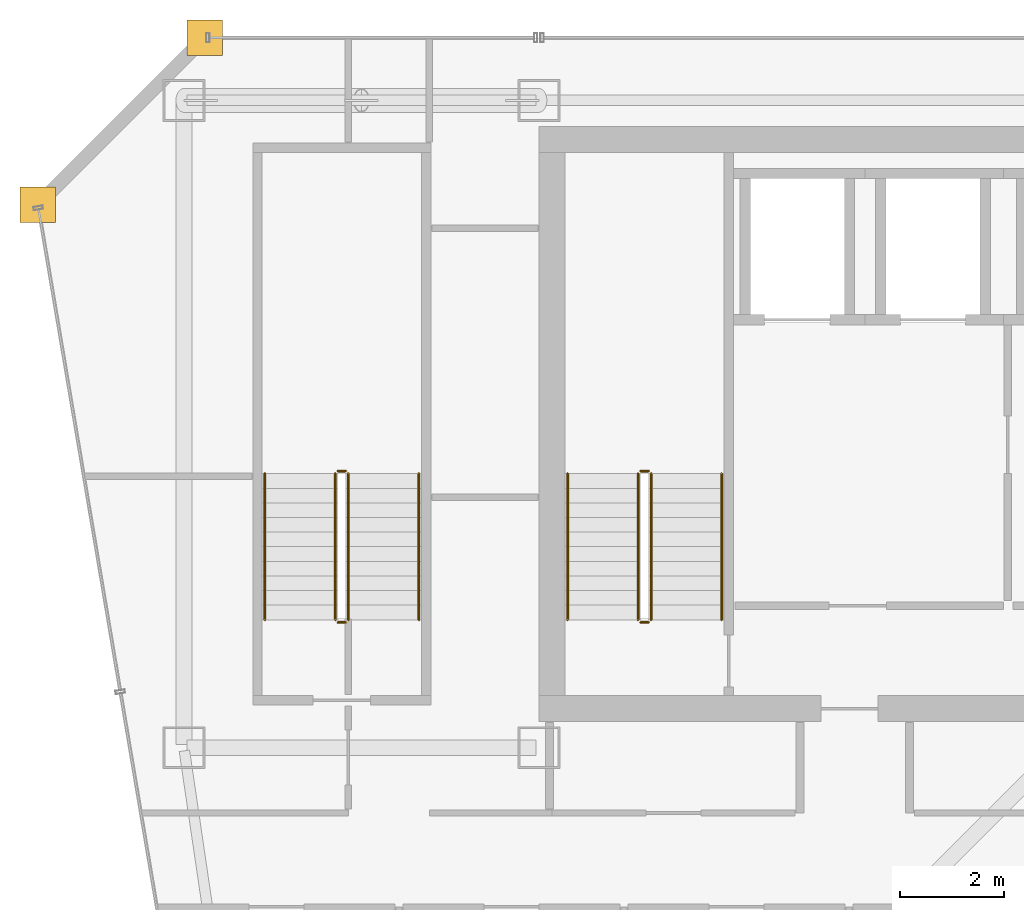
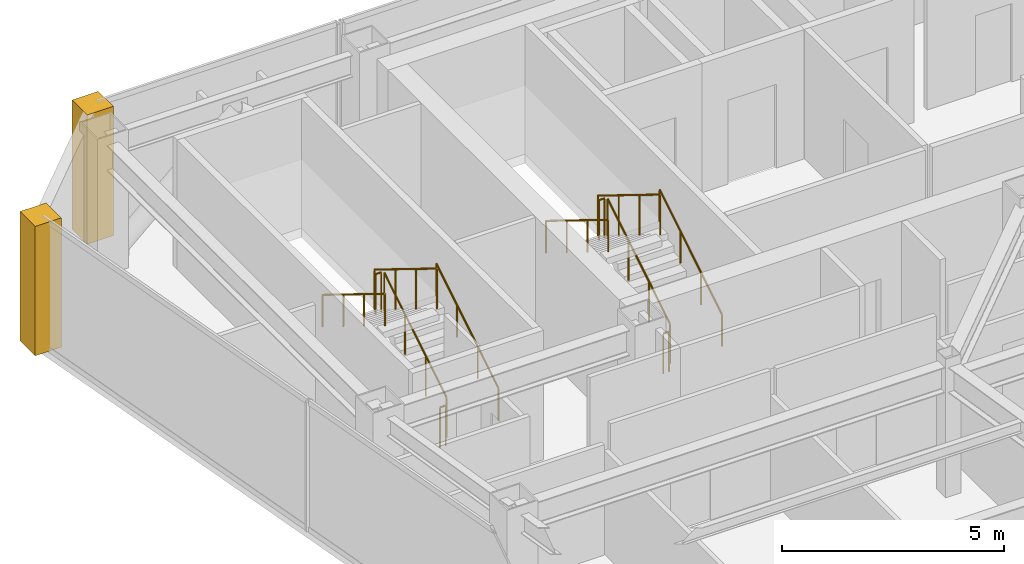
# One storey, part 34 of 35: 12 railings, 2 coverings.
"""IFC4 building model written with IfcOpenShell, lengths in metres."""

import ifcopenshell
import ifcopenshell.guid

model = None  # the IFC model being written
_history = None  # IfcOwnerHistory: only IFC2X3 demands one
_inside = {}  # id of a spatial element -> (the spatial element, [elements in it])
_under = {}  # id of a project, library or spatial element -> (it, [spatial elements below it])
_declared = {}  # id of a project -> (the project, [libraries it declares])
_typed = {}  # id of a type object -> (the type object, [elements of that type])
_made_of = {}  # id of a material, layer set ... -> (it, [elements and type objects made of it])


def new_model(schema):
    """Start an empty IFC model of exactly this schema.

    Asked for "IFC4X3", IfcOpenShell would pick the latest addendum, in which some entities
    have other attributes; the version numbers below select the first issue.
    IFC2X3 requires an IfcOwnerHistory on every rooted entity: one is made here for all.
    """
    global model, _history
    if schema == "IFC4X3":
        model = ifcopenshell.file(schema_version=(4, 3, 0, 0))
    else:
        model = ifcopenshell.file(schema=schema)
    _inside.clear()
    _under.clear()
    _declared.clear()
    _typed.clear()
    _made_of.clear()
    _history = None
    if model.schema == "IFC2X3":
        org = make("IfcOrganization", Name="unknown")
        user = make(
            "IfcPersonAndOrganization",
            ThePerson=make("IfcPerson", FamilyName="unknown"),
            TheOrganization=org,
        )
        app = make(
            "IfcApplication",
            ApplicationDeveloper=org,
            Version="unknown",
            ApplicationFullName="unknown",
            ApplicationIdentifier="unknown",
        )
        _history = make(
            "IfcOwnerHistory",
            OwningUser=user,
            OwningApplication=app,
            ChangeAction="ADDED",
            CreationDate=0,
        )
    return model


def make(cls, **values):
    """One entity of the class cls with the attributes given. An attribute that is None is left unset."""
    return model.create_entity(
        cls, **{name: value for name, value in values.items() if value is not None}
    )


def rooted(cls, **values):
    """An entity with a GlobalId (a new one), such as an element, a storey or a relation."""
    return make(cls, GlobalId=ifcopenshell.guid.new(), OwnerHistory=_history, **values)


def si_unit(unit_type, name, prefix=None):
    """IfcSIUnit, for example si_unit("LENGTHUNIT", "METRE", prefix="MILLI")."""
    return make("IfcSIUnit", UnitType=unit_type, Prefix=prefix, Name=name)


def assignment(units):
    """IfcUnitAssignment: the units of a project."""
    return None if units is None else make("IfcUnitAssignment", Units=units)


def point(xyz):
    """IfcCartesianPoint."""
    return None if xyz is None else make("IfcCartesianPoint", Coordinates=xyz)


def direction(xyz):
    """IfcDirection."""
    return None if xyz is None else make("IfcDirection", DirectionRatios=xyz)


def frame(location, z_axis=None, x_axis=None):
    """IfcAxis2Placement3D, a coordinate frame: its origin and axes. An axis left out is left unset."""
    return make(
        "IfcAxis2Placement3D",
        Location=point(location),
        Axis=direction(z_axis),
        RefDirection=direction(x_axis),
    )


def frame_2d(location, x_axis=None):
    """IfcAxis2Placement2D, a coordinate frame in the plane: its origin and x axis."""
    return make(
        "IfcAxis2Placement2D", Location=point(location), RefDirection=direction(x_axis)
    )


def origin():
    """The frame at (0, 0, 0) with its axes left unset."""
    return frame((0.0, 0.0, 0.0))


def origin_2d():
    """The frame at (0, 0) in the plane with its x axis left unset."""
    return frame_2d((0.0, 0.0))


def place(relative_to, where):
    """IfcLocalPlacement: puts the frame where relative to a parent placement (None: the world)."""
    return make(
        "IfcLocalPlacement", PlacementRelTo=relative_to, RelativePlacement=where
    )


def context(
    kind, dimensions, precision=None, world=None, true_north=None, identifier=None
):
    """IfcGeometricRepresentationContext, for example the 3D "Model" context."""
    return make(
        "IfcGeometricRepresentationContext",
        ContextIdentifier=identifier,
        ContextType=kind,
        CoordinateSpaceDimension=dimensions,
        Precision=precision,
        WorldCoordinateSystem=world,
        TrueNorth=true_north,
    )


def subcontext(parent, identifier, kind, view, scale=None):
    """IfcGeometricRepresentationSubContext, for example "Body" below "Model"."""
    return make(
        "IfcGeometricRepresentationSubContext",
        ContextIdentifier=identifier,
        ContextType=kind,
        ParentContext=parent,
        TargetScale=scale,
        TargetView=view,
    )


def project(units=None, contexts=None):
    """IfcProject with its units and contexts."""
    return rooted(
        "IfcProject",
        Name="project",
        RepresentationContexts=contexts,
        UnitsInContext=assignment(units),
    )


def spatial(cls, under=None, at=None, **own):
    """A site, building, storey or space (cls), placed at a placement, below another one or the project."""
    s = rooted(cls, ObjectPlacement=at, **own)
    if under is not None:
        _under.setdefault(under.id(), (under, []))[1].append(s)
    return s


def polyline(points):
    """IfcPolyline through the points."""
    return make("IfcPolyline", Points=[point(p) for p in points])


def profile(cls, at=None, kind="AREA", **sizes):
    """A parametric profile (cls). Its sizes go by their IFC names, for example OverallWidth=200.0."""
    return make(cls, ProfileType=kind, Position=at, **sizes)


def circle(**sizes):
    """IfcCircleProfileDef."""
    return profile("IfcCircleProfileDef", **sizes)


def outline(outer, holes=None, kind="AREA"):
    """IfcArbitraryClosedProfileDef: a profile drawn as a closed curve; with holes, ...WithVoids."""
    if holes is None:
        return make("IfcArbitraryClosedProfileDef", ProfileType=kind, OuterCurve=outer)
    return make(
        "IfcArbitraryProfileDefWithVoids",
        ProfileType=kind,
        OuterCurve=outer,
        InnerCurves=holes,
    )


def extrude(swept, where, along, depth):
    """IfcExtrudedAreaSolid: the profile swept, set in the frame where, extruded along a direction by depth."""
    return make(
        "IfcExtrudedAreaSolid",
        SweptArea=swept,
        Position=where,
        ExtrudedDirection=direction(along),
        Depth=depth,
    )


def shape(context_of_items, identifier, shape_type, items):
    """IfcShapeRepresentation: the items that make up one representation, for example the "Body"."""
    return make(
        "IfcShapeRepresentation",
        ContextOfItems=context_of_items,
        RepresentationIdentifier=identifier,
        RepresentationType=shape_type,
        Items=items,
    )


def material(Name=None, Category=None):
    """IfcMaterial."""
    return make("IfcMaterial", Name=Name, Category=Category)


def layer(
    of_material, thickness, ventilated=None, Name=None, Category=None, Priority=None
):
    """IfcMaterialLayer: one layer of a wall or slab, of a material (None: an air gap)."""
    return make(
        "IfcMaterialLayer",
        Material=of_material,
        LayerThickness=thickness,
        IsVentilated=ventilated,
        Name=Name,
        Category=Category,
        Priority=Priority,
    )


def layer_set(layers, Name=None):
    """IfcMaterialLayerSet."""
    return make("IfcMaterialLayerSet", MaterialLayers=layers, LayerSetName=Name)


def made_of(thing, what):
    """Note that an element or type object is made of a material, layer set ...; save() writes the relation."""
    if what is not None:
        _made_of.setdefault(what.id(), (what, []))[1].append(thing)
    return thing


def type_object(cls, material=None, **own):
    """A type object (cls), such as IfcWallType, which elements share."""
    return made_of(rooted(cls, **own), material)


def element(
    cls,
    number,
    at=None,
    inside=None,
    cuts=None,
    type_object=None,
    material=None,
    context=None,
    identifier="Body",
    shape_type=None,
    held_by="IfcProductDefinitionShape",
    body=None,
    shapes=None,
    **own,
):
    """One element of the class cls, such as IfcWall. Its Tag is "e" and its number.

    at: its placement. inside: the storey or other place that contains it. cuts: it is an
    opening in that element (IfcRelVoidsElement). A single representation is given by context,
    identifier, shape_type and body (its items); several are given by shapes. held_by: the class
    of the entity that holds the representations. save() writes the other relations.
    """
    e = rooted(cls, Tag="e%d" % number, ObjectPlacement=at, **own)
    if body is not None:
        shapes = [shape(context, identifier, shape_type, body)]
    if shapes is not None:
        e.Representation = make(held_by, Representations=shapes)
    if inside is not None:
        _inside.setdefault(inside.id(), (inside, []))[1].append(e)
    if cuts is not None:
        rooted(
            "IfcRelVoidsElement", RelatingBuildingElement=cuts, RelatedOpeningElement=e
        )
    if type_object is not None:
        _typed.setdefault(type_object.id(), (type_object, []))[1].append(e)
    return made_of(e, material)


def aggregate(whole, parts):
    """IfcRelAggregates: a whole, such as a stair, and the parts it consists of."""
    return rooted("IfcRelAggregates", RelatingObject=whole, RelatedObjects=parts)


def save(model, path):
    """Write the relations noted so far, then the file.

    IfcRelAggregates (storeys below a building ...), IfcRelContainedInSpatialStructure (elements
    in a storey), IfcRelDefinesByType, IfcRelAssociatesMaterial and IfcRelDeclares: one each for
    every whole, place, type object, material and project.
    """
    for whole, parts in _under.values():
        aggregate(whole, parts)
    for where, things in _inside.values():
        rooted(
            "IfcRelContainedInSpatialStructure",
            RelatedElements=things,
            RelatingStructure=where,
        )
    for kind, things in _typed.values():
        rooted("IfcRelDefinesByType", RelatedObjects=things, RelatingType=kind)
    for what, things in _made_of.values():
        rooted("IfcRelAssociatesMaterial", RelatedObjects=things, RelatingMaterial=what)
    for by, libraries in _declared.values():
        rooted("IfcRelDeclares", RelatingContext=by, RelatedDefinitions=libraries)
    model.write(path)


model = new_model("IFC4")

# Units and contexts
model_context = context("Model", 3, precision=1e-05, world=origin(), true_north=direction((0.0, 1.0)))
body_context = subcontext(model_context, "Body", "Model", "MODEL_VIEW")
ifc_project = project(units=[si_unit("LENGTHUNIT", "METRE"), si_unit("AREAUNIT", "SQUARE_METRE"), si_unit("VOLUMEUNIT", "CUBIC_METRE"), si_unit("PLANEANGLEUNIT", "RADIAN"), si_unit("MASSUNIT", "GRAM", prefix="KILO")], contexts=[model_context])

# Site, building, storey
site_placement = place(None, origin())
site = spatial("IfcSite", under=ifc_project, at=site_placement, CompositionType="ELEMENT")
building_placement = place(site_placement, origin())
building = spatial("IfcBuilding", under=site, at=building_placement, Name="Saevonmaru Cultural Tower", CompositionType="ELEMENT")
storey_placement = place(building_placement, frame((0.0, 0.0, 194.199951171875)))
storey = spatial("IfcBuildingStorey", under=building, at=storey_placement, Name="L44", CompositionType="ELEMENT", Elevation=194.199951171875)

# Coverings
ifc_material_1 = material(Name="Satin Bronze Anodised Aluminium", Category="aluminium")
ifc_layer = layer(ifc_material_1, 0.679931640625, Name="Satin Bronze Anodised Aluminium")
ifc_layer_set = layer_set([ifc_layer], Name="Satin Bronze Anodised Aluminium")
covering_type = type_object("IfcCoveringType", Name="CV-CORNER-CLAD", PredefinedType="CLADDING", material=ifc_layer_set)
covering_1_placement = place(storey_placement, origin())
element("IfcCovering", 1, at=covering_1_placement, inside=storey, type_object=covering_type, Name="L44 Tower Bronze Corner Cladding Pier 11", PredefinedType="CLADDING", context=body_context, shape_type="SweptSolid", body=[
    extrude(outline(polyline([(6.860107421875, 55.659912109375), (7.5400390625, 55.659912109375), (7.5400390625, 56.340087890625), (6.860107421875, 56.340087890625), (6.860107421875, 55.659912109375)])), origin(), (0.0, 0.0, 1.0), 3.550048828125),
])
covering_2_placement = place(storey_placement, origin())
element("IfcCovering", 2, at=covering_2_placement, inside=storey, type_object=covering_type, Name="L44 Tower Bronze Corner Cladding Pier 12", PredefinedType="CLADDING", context=body_context, shape_type="SweptSolid", body=[
    extrude(outline(polyline([(3.659912109375, 52.4599609375), (4.340087890625, 52.4599609375), (4.340087890625, 53.139892578125), (3.659912109375, 53.139892578125), (3.659912109375, 52.4599609375)])), origin(), (0.0, 0.0, 1.0), 3.550048828125),
])

# Railings
ifc_material_2 = material(Name="Architectural Painted Steel", Category="steel")
railing_type_1 = type_object("IfcRailingType", Name="RL-STAIR-GUARD", PredefinedType="GUARDRAIL", material=ifc_material_2)
railing_1_placement = place(storey_placement, frame((15.75, 44.85009765625, 0.1728515625)))
element("IfcRailing", 3, at=railing_1_placement, inside=storey, type_object=railing_type_1, Name="L44 ST-1 stair guard 1", PredefinedType="GUARDRAIL", context=body_context, shape_type="SweptSolid", body=[
    extrude(circle(Radius=0.02392578125, at=origin_2d()), frame((0.0, 0.0, 1.09619140625), z_axis=(0.0, 0.851069175582, 0.525053576669), x_axis=(-1.0, 0.0, 0.0)), (0.0, 0.0, 1.0), 3.289794921875),
    extrude(circle(Radius=0.02099609375, at=origin_2d()), origin(), (0.0, 0.0, 1.0), 1.072021484375),
    extrude(circle(Radius=0.02099609375, at=origin_2d()), frame((0.0, 0.933349609375, 0.57568359375)), (0.0, 0.0, 1.0), 1.072021484375),
    extrude(circle(Radius=0.02099609375, at=origin_2d()), frame((0.0, 1.866455078125, 1.151611328125)), (0.0, 0.0, 1.0), 1.072021484375),
    extrude(circle(Radius=0.02099609375, at=origin_2d()), frame((0.0, 2.7998046875, 1.727294921875)), (0.0, 0.0, 1.0), 1.072021484375),
])
railing_2_placement = place(storey_placement, frame((15.699951171875, 47.699951171875, 1.900146484375)))
element("IfcRailing", 4, at=railing_2_placement, inside=storey, type_object=railing_type_1, Name="L44 ST-1 stair guard 2", PredefinedType="GUARDRAIL", context=body_context, shape_type="SweptSolid", body=[
    extrude(circle(Radius=0.02392578125, at=origin_2d()), frame((0.0, 0.0, 1.09619140625), z_axis=(-1.0, 0.0, 0.0), x_axis=(0.0, -1.0, 0.0)), (0.0, 0.0, 1.0), 0.14990234375),
    extrude(circle(Radius=0.02099609375, at=origin_2d()), origin(), (0.0, 0.0, 1.0), 1.072021484375),
    extrude(circle(Radius=0.02099609375, at=origin_2d()), frame((-0.14990234375, 0.0, 0.0)), (0.0, 0.0, 1.0), 1.072021484375),
])
railing_3_placement = place(storey_placement, frame((15.5, 47.64990234375, 2.07275390625)))
element("IfcRailing", 5, at=railing_3_placement, inside=storey, type_object=railing_type_1, Name="L44 ST-1 stair guard 3", PredefinedType="GUARDRAIL", context=body_context, shape_type="SweptSolid", body=[
    extrude(circle(Radius=0.02392578125, at=origin_2d()), frame((0.0, 0.0, 1.09619140625), z_axis=(0.0, -0.851069175582, 0.525053576669), x_axis=(1.0, 0.0, 0.0)), (0.0, 0.0, 1.0), 3.289794921875),
    extrude(circle(Radius=0.02099609375, at=origin_2d()), origin(), (0.0, 0.0, 1.0), 1.072021484375),
    extrude(circle(Radius=0.02099609375, at=origin_2d()), frame((0.0, -0.933349609375, 0.57568359375)), (0.0, 0.0, 1.0), 1.072021484375),
    extrude(circle(Radius=0.02099609375, at=origin_2d()), frame((0.0, -1.866455078125, 1.151611328125)), (0.0, 0.0, 1.0), 1.072021484375),
    extrude(circle(Radius=0.02099609375, at=origin_2d()), frame((0.0, -2.7998046875, 1.727294921875)), (0.0, 0.0, 1.0), 1.072021484375),
])
railing_4_placement = place(storey_placement, frame((15.699951171875, 44.800048828125, 0.0)))
element("IfcRailing", 6, at=railing_4_placement, inside=storey, type_object=railing_type_1, Name="L44 ST-1 stair guard 4", PredefinedType="GUARDRAIL", context=body_context, shape_type="SweptSolid", body=[
    extrude(circle(Radius=0.02392578125, at=origin_2d()), frame((0.0, 0.0, 1.09619140625), z_axis=(-1.0, 0.0, 0.0), x_axis=(0.0, -1.0, 0.0)), (0.0, 0.0, 1.0), 0.14990234375),
    extrude(circle(Radius=0.02099609375, at=origin_2d()), origin(), (0.0, 0.0, 1.0), 1.072021484375),
    extrude(circle(Radius=0.02099609375, at=origin_2d()), frame((-0.14990234375, 0.0, 0.0)), (0.0, 0.0, 1.0), 1.072021484375),
])
railing_5_placement = place(storey_placement, frame((9.949951171875, 44.85009765625, 0.1728515625)))
element("IfcRailing", 7, at=railing_5_placement, inside=storey, type_object=railing_type_1, Name="L44 ST-3 stair guard 1", PredefinedType="GUARDRAIL", context=body_context, shape_type="SweptSolid", body=[
    extrude(circle(Radius=0.02392578125, at=origin_2d()), frame((0.0, 0.0, 1.09619140625), z_axis=(0.0, 0.851069175582, 0.525053576669), x_axis=(-1.0, 0.0, 0.0)), (0.0, 0.0, 1.0), 3.289794921875),
    extrude(circle(Radius=0.02099609375, at=origin_2d()), origin(), (0.0, 0.0, 1.0), 1.072021484375),
    extrude(circle(Radius=0.02099609375, at=origin_2d()), frame((0.0, 0.933349609375, 0.57568359375)), (0.0, 0.0, 1.0), 1.072021484375),
    extrude(circle(Radius=0.02099609375, at=origin_2d()), frame((0.0, 1.866455078125, 1.151611328125)), (0.0, 0.0, 1.0), 1.072021484375),
    extrude(circle(Radius=0.02099609375, at=origin_2d()), frame((0.0, 2.7998046875, 1.727294921875)), (0.0, 0.0, 1.0), 1.072021484375),
])
railing_6_placement = place(storey_placement, frame((9.89990234375, 47.699951171875, 1.900146484375)))
element("IfcRailing", 8, at=railing_6_placement, inside=storey, type_object=railing_type_1, Name="L44 ST-3 stair guard 2", PredefinedType="GUARDRAIL", context=body_context, shape_type="SweptSolid", body=[
    extrude(circle(Radius=0.02392578125, at=origin_2d()), frame((0.0, 0.0, 1.09619140625), z_axis=(-1.0, 0.0, 0.0), x_axis=(0.0, -1.0, 0.0)), (0.0, 0.0, 1.0), 0.14990234375),
    extrude(circle(Radius=0.02099609375, at=origin_2d()), origin(), (0.0, 0.0, 1.0), 1.072021484375),
    extrude(circle(Radius=0.02099609375, at=origin_2d()), frame((-0.14990234375, 0.0, 0.0)), (0.0, 0.0, 1.0), 1.072021484375),
])
railing_7_placement = place(storey_placement, frame((9.699951171875, 47.64990234375, 2.07275390625)))
element("IfcRailing", 9, at=railing_7_placement, inside=storey, type_object=railing_type_1, Name="L44 ST-3 stair guard 3", PredefinedType="GUARDRAIL", context=body_context, shape_type="SweptSolid", body=[
    extrude(circle(Radius=0.02392578125, at=origin_2d()), frame((0.0, 0.0, 1.09619140625), z_axis=(0.0, -0.851069175582, 0.525053576669), x_axis=(1.0, 0.0, 0.0)), (0.0, 0.0, 1.0), 3.289794921875),
    extrude(circle(Radius=0.02099609375, at=origin_2d()), origin(), (0.0, 0.0, 1.0), 1.072021484375),
    extrude(circle(Radius=0.02099609375, at=origin_2d()), frame((0.0, -0.933349609375, 0.57568359375)), (0.0, 0.0, 1.0), 1.072021484375),
    extrude(circle(Radius=0.02099609375, at=origin_2d()), frame((0.0, -1.866455078125, 1.151611328125)), (0.0, 0.0, 1.0), 1.072021484375),
    extrude(circle(Radius=0.02099609375, at=origin_2d()), frame((0.0, -2.7998046875, 1.727294921875)), (0.0, 0.0, 1.0), 1.072021484375),
])
railing_8_placement = place(storey_placement, frame((9.89990234375, 44.800048828125, 0.0)))
element("IfcRailing", 10, at=railing_8_placement, inside=storey, type_object=railing_type_1, Name="L44 ST-3 stair guard 4", PredefinedType="GUARDRAIL", context=body_context, shape_type="SweptSolid", body=[
    extrude(circle(Radius=0.02392578125, at=origin_2d()), frame((0.0, 0.0, 1.09619140625), z_axis=(-1.0, 0.0, 0.0), x_axis=(0.0, -1.0, 0.0)), (0.0, 0.0, 1.0), 0.14990234375),
    extrude(circle(Radius=0.02099609375, at=origin_2d()), origin(), (0.0, 0.0, 1.0), 1.072021484375),
    extrude(circle(Radius=0.02099609375, at=origin_2d()), frame((-0.14990234375, 0.0, 0.0)), (0.0, 0.0, 1.0), 1.072021484375),
])
railing_type_2 = type_object("IfcRailingType", Name="RL-STAIR-HANDRAIL", PredefinedType="HANDRAIL", material=ifc_material_1)
railing_9_placement = place(storey_placement, frame((17.10009765625, 44.85009765625, 0.1728515625)))
element("IfcRailing", 11, at=railing_9_placement, inside=storey, type_object=railing_type_2, Name="L44 ST-1 stair handrail 1", PredefinedType="HANDRAIL", context=body_context, shape_type="SweptSolid", body=[
    extrude(circle(Radius=0.02392578125, at=origin_2d()), frame((0.0, 0.0, 0.8759765625), z_axis=(0.0, 0.851069175582, 0.525053576669), x_axis=(-1.0, 0.0, 0.0)), (0.0, 0.0, 1.0), 3.289794921875),
    extrude(circle(Radius=0.02099609375, at=origin_2d()), origin(), (0.0, 0.0, 1.0), 0.851806640625),
    extrude(circle(Radius=0.02099609375, at=origin_2d()), frame((0.0, 0.933349609375, 0.57568359375)), (0.0, 0.0, 1.0), 0.851806640625),
    extrude(circle(Radius=0.02099609375, at=origin_2d()), frame((0.0, 1.866455078125, 1.151611328125)), (0.0, 0.0, 1.0), 0.851806640625),
    extrude(circle(Radius=0.02099609375, at=origin_2d()), frame((0.0, 2.7998046875, 1.727294921875)), (0.0, 0.0, 1.0), 0.851806640625),
])
railing_10_placement = place(storey_placement, frame((14.14990234375, 47.64990234375, 2.07275390625)))
element("IfcRailing", 12, at=railing_10_placement, inside=storey, type_object=railing_type_2, Name="L44 ST-1 stair handrail 2", PredefinedType="HANDRAIL", context=body_context, shape_type="SweptSolid", body=[
    extrude(circle(Radius=0.02392578125, at=origin_2d()), frame((0.0, 0.0, 0.8759765625), z_axis=(0.0, -0.851069175582, 0.525053576669), x_axis=(1.0, 0.0, 0.0)), (0.0, 0.0, 1.0), 3.289794921875),
    extrude(circle(Radius=0.02099609375, at=origin_2d()), origin(), (0.0, 0.0, 1.0), 0.851806640625),
    extrude(circle(Radius=0.02099609375, at=origin_2d()), frame((0.0, -0.933349609375, 0.57568359375)), (0.0, 0.0, 1.0), 0.851806640625),
    extrude(circle(Radius=0.02099609375, at=origin_2d()), frame((0.0, -1.866455078125, 1.151611328125)), (0.0, 0.0, 1.0), 0.851806640625),
    extrude(circle(Radius=0.02099609375, at=origin_2d()), frame((0.0, -2.7998046875, 1.727294921875)), (0.0, 0.0, 1.0), 0.851806640625),
])
railing_11_placement = place(storey_placement, frame((11.300048828125, 44.85009765625, 0.1728515625)))
element("IfcRailing", 13, at=railing_11_placement, inside=storey, type_object=railing_type_2, Name="L44 ST-3 stair handrail 1", PredefinedType="HANDRAIL", context=body_context, shape_type="SweptSolid", body=[
    extrude(circle(Radius=0.02392578125, at=origin_2d()), frame((0.0, 0.0, 0.8759765625), z_axis=(0.0, 0.851069175582, 0.525053576669), x_axis=(-1.0, 0.0, 0.0)), (0.0, 0.0, 1.0), 3.289794921875),
    extrude(circle(Radius=0.02099609375, at=origin_2d()), origin(), (0.0, 0.0, 1.0), 0.851806640625),
    extrude(circle(Radius=0.02099609375, at=origin_2d()), frame((0.0, 0.933349609375, 0.57568359375)), (0.0, 0.0, 1.0), 0.851806640625),
    extrude(circle(Radius=0.02099609375, at=origin_2d()), frame((0.0, 1.866455078125, 1.151611328125)), (0.0, 0.0, 1.0), 0.851806640625),
    extrude(circle(Radius=0.02099609375, at=origin_2d()), frame((0.0, 2.7998046875, 1.727294921875)), (0.0, 0.0, 1.0), 0.851806640625),
])
railing_12_placement = place(storey_placement, frame((8.35009765625, 47.64990234375, 2.07275390625)))
element("IfcRailing", 14, at=railing_12_placement, inside=storey, type_object=railing_type_2, Name="L44 ST-3 stair handrail 2", PredefinedType="HANDRAIL", context=body_context, shape_type="SweptSolid", body=[
    extrude(circle(Radius=0.02392578125, at=origin_2d()), frame((0.0, 0.0, 0.8759765625), z_axis=(0.0, -0.851069175582, 0.525053576669), x_axis=(1.0, 0.0, 0.0)), (0.0, 0.0, 1.0), 3.289794921875),
    extrude(circle(Radius=0.02099609375, at=origin_2d()), origin(), (0.0, 0.0, 1.0), 0.851806640625),
    extrude(circle(Radius=0.02099609375, at=origin_2d()), frame((0.0, -0.933349609375, 0.57568359375)), (0.0, 0.0, 1.0), 0.851806640625),
    extrude(circle(Radius=0.02099609375, at=origin_2d()), frame((0.0, -1.866455078125, 1.151611328125)), (0.0, 0.0, 1.0), 0.851806640625),
    extrude(circle(Radius=0.02099609375, at=origin_2d()), frame((0.0, -2.7998046875, 1.727294921875)), (0.0, 0.0, 1.0), 0.851806640625),
])

save(model, "model.ifc")
